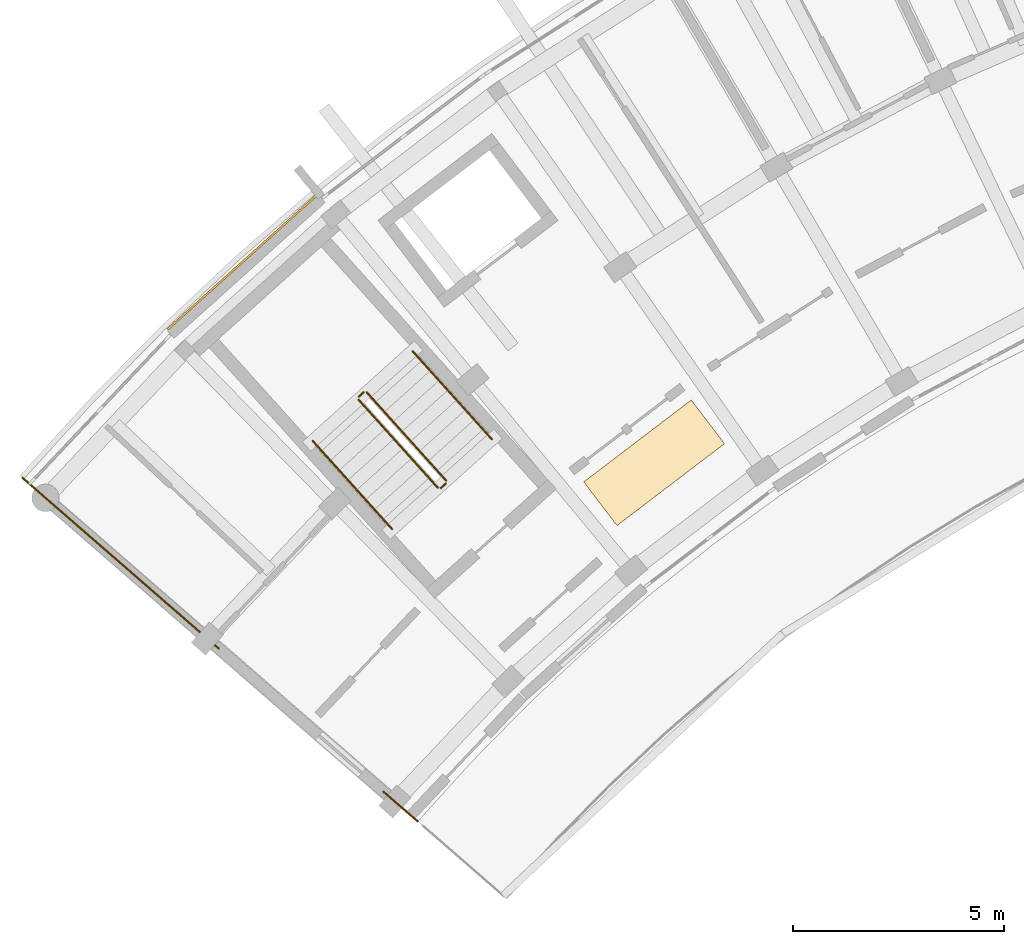
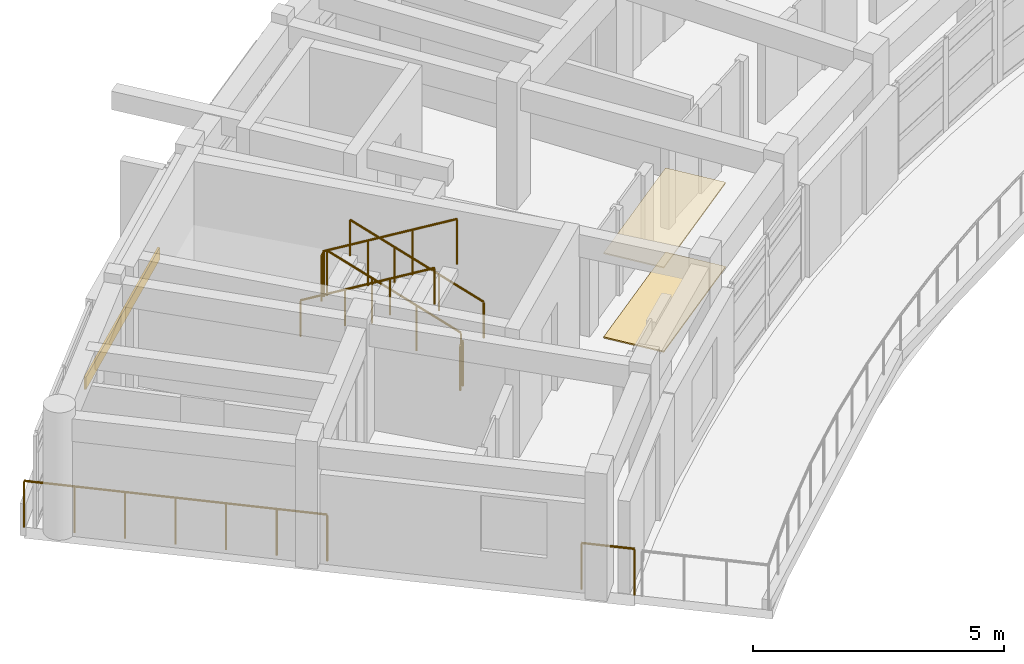
# One storey, part 20 of 23: 8 railings, 3 coverings.
"""IFC4 building model written with IfcOpenShell, lengths in metres."""

from ifc_helpers import new_model, si_unit, direction, frame, origin, origin_2d, place, context, subcontext, project, spatial, rectangle, circle, extrude, material, layer, layer_set, type_object, element, save


model = new_model("IFC4")

# Units and contexts
model_context = context("Model", 3, precision=1e-05, world=origin(), true_north=direction((0.0, 1.0)))
body_context = subcontext(model_context, "Body", "Model", "MODEL_VIEW")
ifc_project = project(units=[si_unit("LENGTHUNIT", "METRE"), si_unit("AREAUNIT", "SQUARE_METRE"), si_unit("VOLUMEUNIT", "CUBIC_METRE"), si_unit("PLANEANGLEUNIT", "RADIAN"), si_unit("MASSUNIT", "GRAM", prefix="KILO")], contexts=[model_context])

# Site, building, storey
site_placement = place(None, origin())
site = spatial("IfcSite", under=ifc_project, at=site_placement, CompositionType="ELEMENT")
building_placement = place(site_placement, origin())
building = spatial("IfcBuilding", under=site, at=building_placement, Name="Zimvara Arc Housing Community", CompositionType="ELEMENT")
storey_placement = place(building_placement, frame((0.0, 0.0, 36.0)))
storey = spatial("IfcBuildingStorey", under=building, at=storey_placement, Name="L11", CompositionType="ELEMENT", Elevation=36.0)

# Coverings
ifc_material_1 = material(Name="Pale-Gold Anodised Aluminium Cladding", Category="aluminium")
ifc_layer_1 = layer(ifc_material_1, 0.044921875)
ifc_layer_set_1 = layer_set([ifc_layer_1], Name="Pale-Gold Anodised Aluminium Cladding")
covering_type_1 = type_object("IfcCoveringType", Name="CLD-GOLD-02", PredefinedType="CLADDING", material=ifc_layer_set_1)
covering_1_placement = place(storey_placement, frame((5.22216796875, 88.708740234375, 0.009765625), z_axis=(0.0, 0.0, 1.0), x_axis=(0.74337718344, 0.668872456557, 0.0)))
element("IfcCovering", 1, at=covering_1_placement, inside=storey, type_object=covering_type_1, Name="cld:blkA:L11:out:b1", PredefinedType="CLADDING", context=body_context, shape_type="SweptSolid", body=[
    extrude(rectangle(XDim=4.748779296875, YDim=0.044921875, at=origin_2d()), origin(), (0.0, 0.0, 1.0), 0.300048828125),
])
ifc_material_2 = material(Name="Perforated Acoustic Ceiling Board")
ifc_layer_2 = layer(ifc_material_2, 0.030029296875)
ifc_layer_set_2 = layer_set([ifc_layer_2], Name="Perforated Acoustic Ceiling Board")
covering_type_2 = type_object("IfcCoveringType", Name="COV-CEIL-04", PredefinedType="CEILING", material=ifc_layer_set_2)
covering_2_placement = place(storey_placement, frame((14.974853515625, 83.959228515625, 2.0498046875), z_axis=(0.0, 0.0, 1.0), x_axis=(-0.605988400266, 0.795473480855, 0.0)))
element("IfcCovering", 2, at=covering_2_placement, inside=storey, type_object=covering_type_2, Name="ceil:blkA:L11", PredefinedType="CEILING", context=body_context, shape_type="SweptSolid", body=[
    extrude(rectangle(XDim=1.300048828125, YDim=3.199951171875, at=origin_2d()), origin(), (0.0, 0.0, 1.0), 0.030029296875),
])
ifc_material_3 = material(Name="Polished Coastal Sand Terrazzo")
ifc_layer_3 = layer(ifc_material_3, 0.031982421875)
ifc_layer_set_3 = layer_set([ifc_layer_3], Name="Polished Coastal Sand Terrazzo")
covering_type_3 = type_object("IfcCoveringType", Name="COV-FLOR-04", PredefinedType="FLOORING", material=ifc_layer_set_3)
covering_3_placement = place(storey_placement, frame((14.974853515625, 83.959228515625, 0.0), z_axis=(0.0, 0.0, 1.0), x_axis=(-0.605988400266, 0.795473480855, 0.0)))
element("IfcCovering", 3, at=covering_3_placement, inside=storey, type_object=covering_type_3, Name="flor:blkA:L11", PredefinedType="FLOORING", context=body_context, shape_type="SweptSolid", body=[
    extrude(rectangle(XDim=1.300048828125, YDim=3.199951171875, at=origin_2d()), origin(), (0.0, 0.0, 1.0), 0.031982421875),
])

# Railings
ifc_material_4 = material(Name="Anodised Aluminium AW-6063", Category="aluminium")
railing_type_1 = type_object("IfcRailingType", Name="RLG-BAL-1120", PredefinedType="BALUSTRADE", material=ifc_material_4)
railing_1_placement = place(storey_placement, frame((10.0478515625, 83.5400390625, 0.155029296875)))
element("IfcRailing", 4, at=railing_1_placement, inside=storey, type_object=railing_type_1, Name="L11 ST-A1 stair guard 1", PredefinedType="BALUSTRADE", context=body_context, shape_type="SweptSolid", body=[
    extrude(circle(Radius=0.02392578125, at=origin_2d()), frame((0.0, 0.0, 1.09619140625), z_axis=(-0.599018063854, 0.665748660595, 0.444922555162), x_axis=(-0.743380604779, -0.668868654101, 0.0)), (0.0, 0.0, 1.0), 3.135498046875),
    extrude(circle(Radius=0.02099609375, at=origin_2d()), origin(), (0.0, 0.0, 1.0), 1.072021484375),
    extrude(circle(Radius=0.02099609375, at=origin_2d()), frame((-0.6259765625, 0.69580078125, 0.465087890625)), (0.0, 0.0, 1.0), 1.072021484375),
    extrude(circle(Radius=0.02099609375, at=origin_2d()), frame((-1.252197265625, 1.3916015625, 0.929931640625)), (0.0, 0.0, 1.0), 1.072021484375),
    extrude(circle(Radius=0.02099609375, at=origin_2d()), frame((-1.878173828125, 2.08740234375, 1.39501953125)), (0.0, 0.0, 1.0), 1.072021484375),
])
railing_2_placement = place(storey_placement, frame((8.098876953125, 85.631103515625, 1.550048828125)))
element("IfcRailing", 5, at=railing_2_placement, inside=storey, type_object=railing_type_1, Name="L11 ST-A1 stair guard 2", PredefinedType="BALUSTRADE", context=body_context, shape_type="SweptSolid", body=[
    extrude(circle(Radius=0.02392578125, at=origin_2d()), frame((0.0, 0.0, 1.09619140625), z_axis=(-0.743521848755, -0.668711642207, 0.0), x_axis=(0.668711642207, -0.743521848755, 0.0)), (0.0, 0.0, 1.0), 0.159912109375),
    extrude(circle(Radius=0.02099609375, at=origin_2d()), origin(), (0.0, 0.0, 1.0), 1.072021484375),
    extrude(circle(Radius=0.02099609375, at=origin_2d()), frame((-0.118896484375, -0.10693359375, 0.0)), (0.0, 0.0, 1.0), 1.072021484375),
])
railing_3_placement = place(storey_placement, frame((7.976318359375, 85.453369140625, 1.705078125)))
element("IfcRailing", 6, at=railing_3_placement, inside=storey, type_object=railing_type_1, Name="L11 ST-A1 stair guard 3", PredefinedType="BALUSTRADE", context=body_context, shape_type="SweptSolid", body=[
    extrude(circle(Radius=0.02392578125, at=origin_2d()), frame((0.0, 0.0, 1.09619140625), z_axis=(0.599018063854, -0.665748660595, 0.444922555162), x_axis=(0.743380604779, 0.668868654101, 0.0)), (0.0, 0.0, 1.0), 3.135498046875),
    extrude(circle(Radius=0.02099609375, at=origin_2d()), origin(), (0.0, 0.0, 1.0), 1.072021484375),
    extrude(circle(Radius=0.02099609375, at=origin_2d()), frame((0.6259765625, -0.69580078125, 0.465087890625)), (0.0, 0.0, 1.0), 1.072021484375),
    extrude(circle(Radius=0.02099609375, at=origin_2d()), frame((1.252197265625, -1.3916015625, 0.929931640625)), (0.0, 0.0, 1.0), 1.072021484375),
    extrude(circle(Radius=0.02099609375, at=origin_2d()), frame((1.878173828125, -2.08740234375, 1.39501953125)), (0.0, 0.0, 1.0), 1.072021484375),
])
railing_4_placement = place(storey_placement, frame((10.0439453125, 83.469482421875, 0.0)))
element("IfcRailing", 7, at=railing_4_placement, inside=storey, type_object=railing_type_1, Name="L11 ST-A1 stair guard 4", PredefinedType="BALUSTRADE", context=body_context, shape_type="SweptSolid", body=[
    extrude(circle(Radius=0.02392578125, at=origin_2d()), frame((0.0, 0.0, 1.09619140625), z_axis=(-0.742763048172, -0.669554369913, 0.0), x_axis=(0.669554369913, -0.742763048172, 0.0)), (0.0, 0.0, 1.0), 0.16015625),
    extrude(circle(Radius=0.02099609375, at=origin_2d()), origin(), (0.0, 0.0, 1.0), 1.072021484375),
    extrude(circle(Radius=0.02099609375, at=origin_2d()), frame((-0.118896484375, -0.107177734375, 0.0)), (0.0, 0.0, 1.0), 1.072021484375),
])
ifc_material_5 = material(Name="Anodised Aluminium AW-6063", Category="aluminium")
railing_type_2 = type_object("IfcRailingType", Name="RLG-BAL-1150", PredefinedType="BALUSTRADE", material=ifc_material_5)
railing_5_placement = place(storey_placement, frame((9.377685546875, 75.466064453125, 0.0)))
element("IfcRailing", 8, at=railing_5_placement, inside=storey, type_object=railing_type_2, Name="rlg:blkA:L11:gable_in:g0", PredefinedType="BALUSTRADE", context=body_context, shape_type="SweptSolid", body=[
    extrude(circle(Radius=0.02392578125, at=origin_2d()), frame((0.0, 0.0, 1.1259765625), z_axis=(-0.75477095777, 0.655988415528, 0.0), x_axis=(-0.655988415528, -0.75477095777, 0.0)), (0.0, 0.0, 1.0), 1.080078125),
    extrude(circle(Radius=0.02099609375, at=origin_2d()), origin(), (0.0, 0.0, 1.0), 1.101806640625),
    extrude(circle(Radius=0.02099609375, at=origin_2d()), frame((-0.815185546875, 0.70849609375, 0.0)), (0.0, 0.0, 1.0), 1.101806640625),
])
railing_6_placement = place(storey_placement, frame((4.668212890625, 79.559814453125, 0.0)))
element("IfcRailing", 9, at=railing_6_placement, inside=storey, type_object=railing_type_2, Name="rlg:blkA:L11:gable_out:g0", PredefinedType="BALUSTRADE", context=body_context, shape_type="SweptSolid", body=[
    extrude(circle(Radius=0.02392578125, at=origin_2d()), frame((0.0, 0.0, 1.1259765625), z_axis=(-0.754708757217, 0.656059975749, 0.0), x_axis=(-0.656059975749, -0.754708757217, 0.0)), (0.0, 0.0, 1.0), 6.159912109375),
    extrude(circle(Radius=0.02099609375, at=origin_2d()), origin(), (0.0, 0.0, 1.0), 1.101806640625),
    extrude(circle(Radius=0.02099609375, at=origin_2d()), frame((-0.77490234375, 0.673583984375, 0.0)), (0.0, 0.0, 1.0), 1.101806640625),
    extrude(circle(Radius=0.02099609375, at=origin_2d()), frame((-1.549560546875, 1.34716796875, 0.0)), (0.0, 0.0, 1.0), 1.101806640625),
    extrude(circle(Radius=0.02099609375, at=origin_2d()), frame((-2.324462890625, 2.0205078125, 0.0)), (0.0, 0.0, 1.0), 1.101806640625),
    extrude(circle(Radius=0.02099609375, at=origin_2d()), frame((-3.099365234375, 2.694091796875, 0.0)), (0.0, 0.0, 1.0), 1.101806640625),
    extrude(circle(Radius=0.02099609375, at=origin_2d()), frame((-3.8740234375, 3.36767578125, 0.0)), (0.0, 0.0, 1.0), 1.101806640625),
    extrude(circle(Radius=0.02099609375, at=origin_2d()), frame((-4.64892578125, 4.041259765625, 0.0)), (0.0, 0.0, 1.0), 1.101806640625),
])
ifc_material_6 = material(Name="Anodised Aluminium AW-6063", Category="aluminium")
railing_type_3 = type_object("IfcRailingType", Name="RLG-HND-900", PredefinedType="HANDRAIL", material=ifc_material_6)
railing_7_placement = place(storey_placement, frame((11.133056640625, 84.5166015625, 0.155029296875)))
element("IfcRailing", 10, at=railing_7_placement, inside=storey, type_object=railing_type_3, Name="L11 ST-A1 stair handrail 1", PredefinedType="HANDRAIL", context=body_context, shape_type="SweptSolid", body=[
    extrude(circle(Radius=0.02392578125, at=origin_2d()), frame((0.0, 0.0, 0.8759765625), z_axis=(-0.599018063854, 0.665748660595, 0.444922555162), x_axis=(-0.743380604779, -0.668868654101, 0.0)), (0.0, 0.0, 1.0), 3.135498046875),
    extrude(circle(Radius=0.02099609375, at=origin_2d()), origin(), (0.0, 0.0, 1.0), 0.851806640625),
    extrude(circle(Radius=0.02099609375, at=origin_2d()), frame((-0.6259765625, 0.69580078125, 0.465087890625)), (0.0, 0.0, 1.0), 0.851806640625),
    extrude(circle(Radius=0.02099609375, at=origin_2d()), frame((-1.252197265625, 1.3916015625, 0.929931640625)), (0.0, 0.0, 1.0), 0.851806640625),
    extrude(circle(Radius=0.02099609375, at=origin_2d()), frame((-1.878173828125, 2.08740234375, 1.39501953125)), (0.0, 0.0, 1.0), 0.851806640625),
])
railing_8_placement = place(storey_placement, frame((6.890869140625, 84.476806640625, 1.705078125)))
element("IfcRailing", 11, at=railing_8_placement, inside=storey, type_object=railing_type_3, Name="L11 ST-A1 stair handrail 2", PredefinedType="HANDRAIL", context=body_context, shape_type="SweptSolid", body=[
    extrude(circle(Radius=0.02392578125, at=origin_2d()), frame((0.0, 0.0, 0.8759765625), z_axis=(0.599067985855, -0.665717608404, 0.444901802856), x_axis=(0.743337374551, 0.668916697052, 0.0)), (0.0, 0.0, 1.0), 3.135498046875),
    extrude(circle(Radius=0.02099609375, at=origin_2d()), origin(), (0.0, 0.0, 1.0), 0.851806640625),
    extrude(circle(Radius=0.02099609375, at=origin_2d()), frame((0.626220703125, -0.69580078125, 0.465087890625)), (0.0, 0.0, 1.0), 0.851806640625),
    extrude(circle(Radius=0.02099609375, at=origin_2d()), frame((1.252197265625, -1.3916015625, 0.929931640625)), (0.0, 0.0, 1.0), 0.851806640625),
    extrude(circle(Radius=0.02099609375, at=origin_2d()), frame((1.87841796875, -2.08740234375, 1.39501953125)), (0.0, 0.0, 1.0), 0.851806640625),
])

save(model, "model.ifc")
